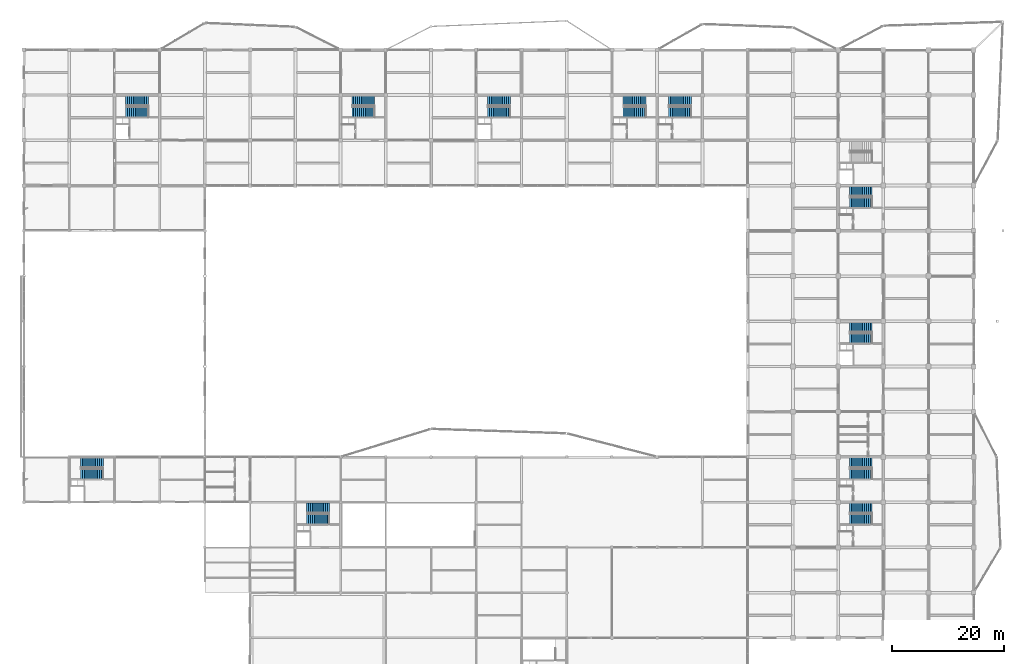
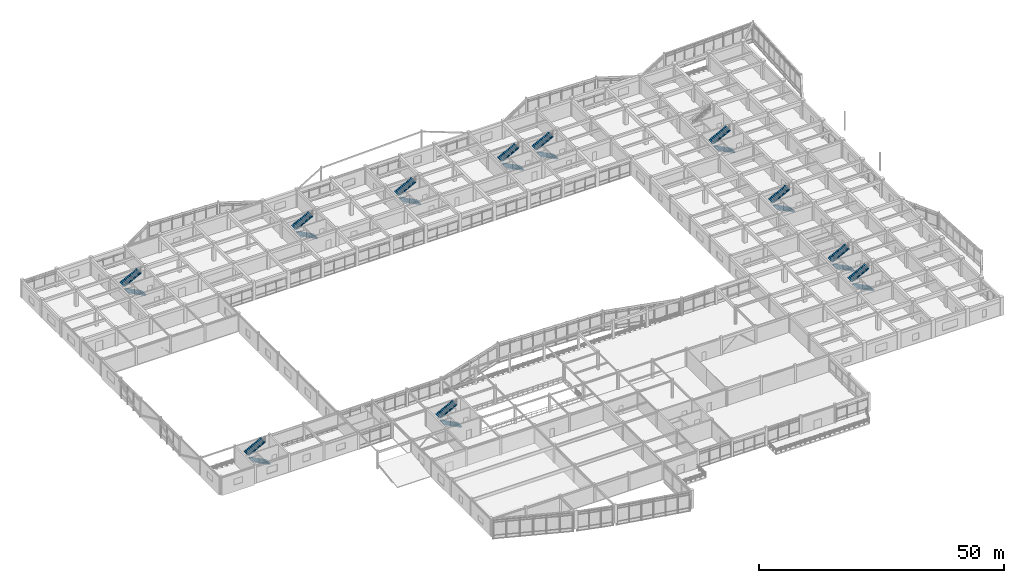
# One storey, part 75 of 93: 22 stair flights, 11 elements without a shape of their own.
"""IFC4 building model written with IfcOpenShell, lengths in metres."""

from ifc_helpers import new_model, si_unit, direction, frame, origin, place, context, subcontext, project, spatial, polyline, outline, extrude, material, type_object, element, aggregate, save


model = new_model("IFC4")

# Units and contexts
model_context = context("Model", 3, precision=1e-05, world=origin(), true_north=direction((0.0, 1.0)))
body_context = subcontext(model_context, "Body", "Model", "MODEL_VIEW")
ifc_project = project(units=[si_unit("LENGTHUNIT", "METRE"), si_unit("AREAUNIT", "SQUARE_METRE"), si_unit("VOLUMEUNIT", "CUBIC_METRE"), si_unit("PLANEANGLEUNIT", "RADIAN"), si_unit("MASSUNIT", "GRAM", prefix="KILO")], contexts=[model_context])

# Site, building, storey
site_placement = place(None, origin())
site = spatial("IfcSite", under=ifc_project, at=site_placement, CompositionType="ELEMENT")
building_placement = place(site_placement, origin())
building = spatial("IfcBuilding", under=site, at=building_placement, Name="Vaudrelin Polytechnic", CompositionType="ELEMENT")
storey_placement = place(building_placement, frame((0.0, 0.0, 5.10009765625)))
storey = spatial("IfcBuildingStorey", under=building, at=storey_placement, Name="L01", CompositionType="ELEMENT", Elevation=5.10009765625)

# Stair, stair flights
ifc_material = material(Name="Concrete 35 MPa", Category="concrete")
stair_type = type_object("IfcStairType", Name="STR-ST-CORE", PredefinedType="TWO_STRAIGHT_RUN_STAIR", material=ifc_material)
stair_1_placement = place(storey_placement, origin())
stair_1 = element("IfcStair", 1, at=stair_1_placement, inside=storey, type_object=stair_type, Name="Exit stair ST-01-L01", PredefinedType="TWO_STRAIGHT_RUN_STAIR")
stair_flight_type = type_object("IfcStairFlightType", Name="STF-STF-CORE", PredefinedType="STRAIGHT", material=ifc_material)
stair_flight_1_placement = place(storey_placement, frame((22.340087890625, 110.3701171875, 0.0), z_axis=(0.0, 0.0, 1.0), x_axis=(-1.0, 0.0, 0.0)))
stair_flight_1 = element("IfcStairFlight", 2, at=stair_flight_1_placement, type_object=stair_flight_type, Name="ST-01-L01 flight 1", NumberOfRisers=13, NumberOfTreads=12, PredefinedType="STRAIGHT", RiserHeight=0.17654, TreadLength=0.34417, context=body_context, shape_type="SweptSolid", body=[
    extrude(outline(polyline([(0.0, 0.0), (0.0, 0.176513671875), (0.34423828125, 0.176513671875), (0.34423828125, 0.35302734375), (0.688232421875, 0.35302734375), (0.688232421875, 0.529541015625), (1.032470703125, 0.529541015625), (1.032470703125, 0.7060546875), (1.376708984375, 0.7060546875), (1.376708984375, 0.8828125), (1.720947265625, 0.8828125), (1.720947265625, 1.059326171875), (2.06494140625, 1.059326171875), (2.06494140625, 1.23583984375), (2.4091796875, 1.23583984375), (2.4091796875, 1.412353515625), (2.75341796875, 1.412353515625), (2.75341796875, 1.5888671875), (3.097412109375, 1.5888671875), (3.097412109375, 1.765380859375), (3.441650390625, 1.765380859375), (3.441650390625, 1.94189453125), (3.785888671875, 1.94189453125), (3.785888671875, 2.118408203125), (4.130126953125, 2.118408203125), (4.130126953125, 2.294921875), (4.130126953125, 1.893798828125), (0.43798828125, 0.0), (0.0, 0.0)])), frame((0.0, 0.91015625, 0.0), z_axis=(0.0, -1.0, 0.0), x_axis=(1.0, 0.0, 0.0)), (0.0, 0.0, 1.0), 1.820068359375),
])
stair_flight_2_placement = place(storey_placement, frame((18.2099609375, 112.389892578125, 2.294921875), z_axis=(0.0, 0.0, 1.0), x_axis=(1.0, 0.0, 0.0)))
stair_flight_2 = element("IfcStairFlight", 3, at=stair_flight_2_placement, type_object=stair_flight_type, Name="ST-01-L01 flight 2", NumberOfRisers=13, NumberOfTreads=12, PredefinedType="STRAIGHT", RiserHeight=0.17654, TreadLength=0.34083, context=body_context, shape_type="SweptSolid", body=[
    extrude(outline(polyline([(0.0, 0.0), (0.0, 0.176513671875), (0.3408203125, 0.176513671875), (0.3408203125, 0.35302734375), (0.681640625, 0.35302734375), (0.681640625, 0.529541015625), (1.0224609375, 0.529541015625), (1.0224609375, 0.7060546875), (1.36328125, 0.7060546875), (1.36328125, 0.8828125), (1.7041015625, 0.8828125), (1.7041015625, 1.059326171875), (2.044921875, 1.059326171875), (2.044921875, 1.23583984375), (2.3857421875, 1.23583984375), (2.3857421875, 1.412353515625), (2.7265625, 1.412353515625), (2.7265625, 1.5888671875), (3.0673828125, 1.5888671875), (3.0673828125, 1.765380859375), (3.408203125, 1.765380859375), (3.408203125, 1.94189453125), (3.7490234375, 1.94189453125), (3.7490234375, 2.118408203125), (4.08984375, 2.118408203125), (4.08984375, 2.294921875), (4.08984375, 1.893310546875), (0.434814453125, 0.0), (0.0, 0.0)])), frame((0.0, 0.91015625, 0.0), z_axis=(0.0, -1.0, 0.0), x_axis=(1.0, 0.0, 0.0)), (0.0, 0.0, 1.0), 1.820068359375),
])
aggregate(stair_1, [stair_flight_1, stair_flight_2])

stair_2_placement = place(storey_placement, origin())
stair_2 = element("IfcStair", 4, at=stair_2_placement, inside=storey, type_object=stair_type, Name="Exit stair ST-02-L01", PredefinedType="TWO_STRAIGHT_RUN_STAIR")
stair_flight_3_placement = place(storey_placement, frame((87.139892578125, 110.3701171875, 0.0), z_axis=(0.0, 0.0, 1.0), x_axis=(-1.0, 0.0, 0.0)))
stair_flight_3 = element("IfcStairFlight", 5, at=stair_flight_3_placement, type_object=stair_flight_type, Name="ST-02-L01 flight 1", NumberOfRisers=13, NumberOfTreads=12, PredefinedType="STRAIGHT", RiserHeight=0.17654, TreadLength=0.34417, context=body_context, shape_type="SweptSolid", body=[
    extrude(outline(polyline([(0.0, 0.0), (0.0, 0.176513671875), (0.34423828125, 0.176513671875), (0.34423828125, 0.35302734375), (0.688232421875, 0.35302734375), (0.688232421875, 0.529541015625), (1.032470703125, 0.529541015625), (1.032470703125, 0.7060546875), (1.376708984375, 0.7060546875), (1.376708984375, 0.8828125), (1.720947265625, 0.8828125), (1.720947265625, 1.059326171875), (2.06494140625, 1.059326171875), (2.06494140625, 1.23583984375), (2.4091796875, 1.23583984375), (2.4091796875, 1.412353515625), (2.75341796875, 1.412353515625), (2.75341796875, 1.5888671875), (3.097412109375, 1.5888671875), (3.097412109375, 1.765380859375), (3.441650390625, 1.765380859375), (3.441650390625, 1.94189453125), (3.785888671875, 1.94189453125), (3.785888671875, 2.118408203125), (4.130126953125, 2.118408203125), (4.130126953125, 2.294921875), (4.130126953125, 1.893798828125), (0.43798828125, 0.0), (0.0, 0.0)])), frame((0.0, 0.91015625, 0.0), z_axis=(0.0, -1.0, 0.0), x_axis=(1.0, 0.0, 0.0)), (0.0, 0.0, 1.0), 1.820068359375),
])
stair_flight_4_placement = place(storey_placement, frame((83.010009765625, 112.389892578125, 2.294921875), z_axis=(0.0, 0.0, 1.0), x_axis=(1.0, 0.0, 0.0)))
stair_flight_4 = element("IfcStairFlight", 6, at=stair_flight_4_placement, type_object=stair_flight_type, Name="ST-02-L01 flight 2", NumberOfRisers=13, NumberOfTreads=12, PredefinedType="STRAIGHT", RiserHeight=0.17654, TreadLength=0.34083, context=body_context, shape_type="SweptSolid", body=[
    extrude(outline(polyline([(0.0, 0.0), (0.0, 0.176513671875), (0.3408203125, 0.176513671875), (0.3408203125, 0.35302734375), (0.681640625, 0.35302734375), (0.681640625, 0.529541015625), (1.0224609375, 0.529541015625), (1.0224609375, 0.7060546875), (1.36328125, 0.7060546875), (1.36328125, 0.8828125), (1.7041015625, 0.8828125), (1.7041015625, 1.059326171875), (2.044921875, 1.059326171875), (2.044921875, 1.23583984375), (2.3857421875, 1.23583984375), (2.3857421875, 1.412353515625), (2.7265625, 1.412353515625), (2.7265625, 1.5888671875), (3.0673828125, 1.5888671875), (3.0673828125, 1.765380859375), (3.408203125, 1.765380859375), (3.408203125, 1.94189453125), (3.7490234375, 1.94189453125), (3.7490234375, 2.118408203125), (4.08984375, 2.118408203125), (4.08984375, 2.294921875), (4.08984375, 1.893310546875), (0.434814453125, 0.0), (0.0, 0.0)])), frame((0.0, 0.91015625, 0.0), z_axis=(0.0, -1.0, 0.0), x_axis=(1.0, 0.0, 0.0)), (0.0, 0.0, 1.0), 1.820068359375),
])
aggregate(stair_2, [stair_flight_3, stair_flight_4])

stair_3_placement = place(storey_placement, origin())
stair_3 = element("IfcStair", 7, at=stair_3_placement, inside=storey, type_object=stair_type, Name="Exit stair ST-03-L01", PredefinedType="TWO_STRAIGHT_RUN_STAIR")
stair_flight_5_placement = place(storey_placement, frame((14.239990234375, 45.570068359375, 0.0), z_axis=(0.0, 0.0, 1.0), x_axis=(-1.0, 0.0, 0.0)))
stair_flight_5 = element("IfcStairFlight", 8, at=stair_flight_5_placement, type_object=stair_flight_type, Name="ST-03-L01 flight 1", NumberOfRisers=13, NumberOfTreads=12, PredefinedType="STRAIGHT", RiserHeight=0.17654, TreadLength=0.34417, context=body_context, shape_type="SweptSolid", body=[
    extrude(outline(polyline([(0.0, 0.0), (0.0, 0.176513671875), (0.34423828125, 0.176513671875), (0.34423828125, 0.35302734375), (0.688232421875, 0.35302734375), (0.688232421875, 0.529541015625), (1.032470703125, 0.529541015625), (1.032470703125, 0.7060546875), (1.376708984375, 0.7060546875), (1.376708984375, 0.8828125), (1.720947265625, 0.8828125), (1.720947265625, 1.059326171875), (2.06494140625, 1.059326171875), (2.06494140625, 1.23583984375), (2.4091796875, 1.23583984375), (2.4091796875, 1.412353515625), (2.75341796875, 1.412353515625), (2.75341796875, 1.5888671875), (3.097412109375, 1.5888671875), (3.097412109375, 1.765380859375), (3.441650390625, 1.765380859375), (3.441650390625, 1.94189453125), (3.785888671875, 1.94189453125), (3.785888671875, 2.118408203125), (4.130126953125, 2.118408203125), (4.130126953125, 2.294921875), (4.130126953125, 1.893798828125), (0.43798828125, 0.0), (0.0, 0.0)])), frame((0.0, 0.91015625, 0.0), z_axis=(0.0, -1.0, 0.0), x_axis=(1.0, 0.0, 0.0)), (0.0, 0.0, 1.0), 1.820068359375),
])
stair_flight_6_placement = place(storey_placement, frame((10.110107421875, 47.590087890625, 2.294921875), z_axis=(0.0, 0.0, 1.0), x_axis=(1.0, 0.0, 0.0)))
stair_flight_6 = element("IfcStairFlight", 9, at=stair_flight_6_placement, type_object=stair_flight_type, Name="ST-03-L01 flight 2", NumberOfRisers=13, NumberOfTreads=12, PredefinedType="STRAIGHT", RiserHeight=0.17654, TreadLength=0.34083, context=body_context, shape_type="SweptSolid", body=[
    extrude(outline(polyline([(0.0, 0.0), (0.0, 0.176513671875), (0.3408203125, 0.176513671875), (0.3408203125, 0.35302734375), (0.681640625, 0.35302734375), (0.681640625, 0.529541015625), (1.0224609375, 0.529541015625), (1.0224609375, 0.7060546875), (1.36328125, 0.7060546875), (1.36328125, 0.8828125), (1.7041015625, 0.8828125), (1.7041015625, 1.059326171875), (2.044921875, 1.059326171875), (2.044921875, 1.23583984375), (2.3857421875, 1.23583984375), (2.3857421875, 1.412353515625), (2.7265625, 1.412353515625), (2.7265625, 1.5888671875), (3.0673828125, 1.5888671875), (3.0673828125, 1.765380859375), (3.408203125, 1.765380859375), (3.408203125, 1.94189453125), (3.7490234375, 1.94189453125), (3.7490234375, 2.118408203125), (4.08984375, 2.118408203125), (4.08984375, 2.294921875), (4.08984375, 1.893310546875), (0.434814453125, 0.0), (0.0, 0.0)])), frame((0.0, 0.91015625, 0.0), z_axis=(0.0, -1.0, 0.0), x_axis=(1.0, 0.0, 0.0)), (0.0, 0.0, 1.0), 1.820068359375),
])
aggregate(stair_3, [stair_flight_5, stair_flight_6])

stair_4_placement = place(storey_placement, origin())
stair_4 = element("IfcStair", 10, at=stair_4_placement, inside=storey, type_object=stair_type, Name="Exit stair ST-04-L01", PredefinedType="TWO_STRAIGHT_RUN_STAIR")
stair_flight_7_placement = place(storey_placement, frame((54.739990234375, 37.469970703125, 0.0), z_axis=(0.0, 0.0, 1.0), x_axis=(-1.0, 0.0, 0.0)))
stair_flight_7 = element("IfcStairFlight", 11, at=stair_flight_7_placement, type_object=stair_flight_type, Name="ST-04-L01 flight 1", NumberOfRisers=13, NumberOfTreads=12, PredefinedType="STRAIGHT", RiserHeight=0.17654, TreadLength=0.34417, context=body_context, shape_type="SweptSolid", body=[
    extrude(outline(polyline([(0.0, 0.0), (0.0, 0.176513671875), (0.34423828125, 0.176513671875), (0.34423828125, 0.35302734375), (0.688232421875, 0.35302734375), (0.688232421875, 0.529541015625), (1.032470703125, 0.529541015625), (1.032470703125, 0.7060546875), (1.376708984375, 0.7060546875), (1.376708984375, 0.8828125), (1.720947265625, 0.8828125), (1.720947265625, 1.059326171875), (2.06494140625, 1.059326171875), (2.06494140625, 1.23583984375), (2.4091796875, 1.23583984375), (2.4091796875, 1.412353515625), (2.75341796875, 1.412353515625), (2.75341796875, 1.5888671875), (3.097412109375, 1.5888671875), (3.097412109375, 1.765380859375), (3.441650390625, 1.765380859375), (3.441650390625, 1.94189453125), (3.785888671875, 1.94189453125), (3.785888671875, 2.118408203125), (4.130126953125, 2.118408203125), (4.130126953125, 2.294921875), (4.130126953125, 1.893798828125), (0.43798828125, 0.0), (0.0, 0.0)])), frame((0.0, 0.91015625, 0.0), z_axis=(0.0, -1.0, 0.0), x_axis=(1.0, 0.0, 0.0)), (0.0, 0.0, 1.0), 1.820068359375),
])
stair_flight_8_placement = place(storey_placement, frame((50.610107421875, 39.489990234375, 2.294921875), z_axis=(0.0, 0.0, 1.0), x_axis=(1.0, 0.0, 0.0)))
stair_flight_8 = element("IfcStairFlight", 12, at=stair_flight_8_placement, type_object=stair_flight_type, Name="ST-04-L01 flight 2", NumberOfRisers=13, NumberOfTreads=12, PredefinedType="STRAIGHT", RiserHeight=0.17654, TreadLength=0.34083, context=body_context, shape_type="SweptSolid", body=[
    extrude(outline(polyline([(0.0, 0.0), (0.0, 0.176513671875), (0.3408203125, 0.176513671875), (0.3408203125, 0.35302734375), (0.681640625, 0.35302734375), (0.681640625, 0.529541015625), (1.0224609375, 0.529541015625), (1.0224609375, 0.7060546875), (1.36328125, 0.7060546875), (1.36328125, 0.8828125), (1.7041015625, 0.8828125), (1.7041015625, 1.059326171875), (2.044921875, 1.059326171875), (2.044921875, 1.23583984375), (2.3857421875, 1.23583984375), (2.3857421875, 1.412353515625), (2.7265625, 1.412353515625), (2.7265625, 1.5888671875), (3.0673828125, 1.5888671875), (3.0673828125, 1.765380859375), (3.408203125, 1.765380859375), (3.408203125, 1.94189453125), (3.7490234375, 1.94189453125), (3.7490234375, 2.118408203125), (4.08984375, 2.118408203125), (4.08984375, 2.294921875), (4.08984375, 1.893310546875), (0.434814453125, 0.0), (0.0, 0.0)])), frame((0.0, 0.91015625, 0.0), z_axis=(0.0, -1.0, 0.0), x_axis=(1.0, 0.0, 0.0)), (0.0, 0.0, 1.0), 1.820068359375),
])
aggregate(stair_4, [stair_flight_7, stair_flight_8])

stair_5_placement = place(storey_placement, origin())
stair_5 = element("IfcStair", 13, at=stair_5_placement, inside=storey, type_object=stair_type, Name="Exit stair ST-07-L01", PredefinedType="TWO_STRAIGHT_RUN_STAIR")
stair_flight_9_placement = place(storey_placement, frame((151.93994140625, 69.8701171875, 0.0), z_axis=(0.0, 0.0, 1.0), x_axis=(-1.0, 0.0, 0.0)))
stair_flight_9 = element("IfcStairFlight", 14, at=stair_flight_9_placement, type_object=stair_flight_type, Name="ST-07-L01 flight 1", NumberOfRisers=13, NumberOfTreads=12, PredefinedType="STRAIGHT", RiserHeight=0.17654, TreadLength=0.34417, context=body_context, shape_type="SweptSolid", body=[
    extrude(outline(polyline([(0.0, 0.0), (0.0, 0.176513671875), (0.34423828125, 0.176513671875), (0.34423828125, 0.35302734375), (0.688232421875, 0.35302734375), (0.688232421875, 0.529541015625), (1.032470703125, 0.529541015625), (1.032470703125, 0.7060546875), (1.376708984375, 0.7060546875), (1.376708984375, 0.8828125), (1.720947265625, 0.8828125), (1.720947265625, 1.059326171875), (2.06494140625, 1.059326171875), (2.06494140625, 1.23583984375), (2.4091796875, 1.23583984375), (2.4091796875, 1.412353515625), (2.75341796875, 1.412353515625), (2.75341796875, 1.5888671875), (3.097412109375, 1.5888671875), (3.097412109375, 1.765380859375), (3.441650390625, 1.765380859375), (3.441650390625, 1.94189453125), (3.785888671875, 1.94189453125), (3.785888671875, 2.118408203125), (4.130126953125, 2.118408203125), (4.130126953125, 2.294921875), (4.130126953125, 1.893798828125), (0.43798828125, 0.0), (0.0, 0.0)])), frame((0.0, 0.91015625, 0.0), z_axis=(0.0, -1.0, 0.0), x_axis=(1.0, 0.0, 0.0)), (0.0, 0.0, 1.0), 1.820068359375),
])
stair_flight_10_placement = place(storey_placement, frame((147.81005859375, 71.889892578125, 2.294921875), z_axis=(0.0, 0.0, 1.0), x_axis=(1.0, 0.0, 0.0)))
stair_flight_10 = element("IfcStairFlight", 15, at=stair_flight_10_placement, type_object=stair_flight_type, Name="ST-07-L01 flight 2", NumberOfRisers=13, NumberOfTreads=12, PredefinedType="STRAIGHT", RiserHeight=0.17654, TreadLength=0.34083, context=body_context, shape_type="SweptSolid", body=[
    extrude(outline(polyline([(0.0, 0.0), (0.0, 0.176513671875), (0.3408203125, 0.176513671875), (0.3408203125, 0.35302734375), (0.681640625, 0.35302734375), (0.681640625, 0.529541015625), (1.0224609375, 0.529541015625), (1.0224609375, 0.7060546875), (1.36328125, 0.7060546875), (1.36328125, 0.8828125), (1.7041015625, 0.8828125), (1.7041015625, 1.059326171875), (2.044921875, 1.059326171875), (2.044921875, 1.23583984375), (2.3857421875, 1.23583984375), (2.3857421875, 1.412353515625), (2.7265625, 1.412353515625), (2.7265625, 1.5888671875), (3.0673828125, 1.5888671875), (3.0673828125, 1.765380859375), (3.408203125, 1.765380859375), (3.408203125, 1.94189453125), (3.7490234375, 1.94189453125), (3.7490234375, 2.118408203125), (4.08984375, 2.118408203125), (4.08984375, 2.294921875), (4.08984375, 1.893310546875), (0.434814453125, 0.0), (0.0, 0.0)])), frame((0.0, 0.91015625, 0.0), z_axis=(0.0, -1.0, 0.0), x_axis=(1.0, 0.0, 0.0)), (0.0, 0.0, 1.0), 1.820068359375),
])
aggregate(stair_5, [stair_flight_9, stair_flight_10])

stair_6_placement = place(storey_placement, origin())
stair_6 = element("IfcStair", 16, at=stair_6_placement, inside=storey, type_object=stair_type, Name="Exit stair ST-08-L01", PredefinedType="TWO_STRAIGHT_RUN_STAIR")
stair_flight_11_placement = place(storey_placement, frame((151.93994140625, 37.469970703125, 0.0), z_axis=(0.0, 0.0, 1.0), x_axis=(-1.0, 0.0, 0.0)))
stair_flight_11 = element("IfcStairFlight", 17, at=stair_flight_11_placement, type_object=stair_flight_type, Name="ST-08-L01 flight 1", NumberOfRisers=13, NumberOfTreads=12, PredefinedType="STRAIGHT", RiserHeight=0.17654, TreadLength=0.34417, context=body_context, shape_type="SweptSolid", body=[
    extrude(outline(polyline([(0.0, 0.0), (0.0, 0.176513671875), (0.34423828125, 0.176513671875), (0.34423828125, 0.35302734375), (0.688232421875, 0.35302734375), (0.688232421875, 0.529541015625), (1.032470703125, 0.529541015625), (1.032470703125, 0.7060546875), (1.376708984375, 0.7060546875), (1.376708984375, 0.8828125), (1.720947265625, 0.8828125), (1.720947265625, 1.059326171875), (2.06494140625, 1.059326171875), (2.06494140625, 1.23583984375), (2.4091796875, 1.23583984375), (2.4091796875, 1.412353515625), (2.75341796875, 1.412353515625), (2.75341796875, 1.5888671875), (3.097412109375, 1.5888671875), (3.097412109375, 1.765380859375), (3.441650390625, 1.765380859375), (3.441650390625, 1.94189453125), (3.785888671875, 1.94189453125), (3.785888671875, 2.118408203125), (4.130126953125, 2.118408203125), (4.130126953125, 2.294921875), (4.130126953125, 1.893798828125), (0.43798828125, 0.0), (0.0, 0.0)])), frame((0.0, 0.91015625, 0.0), z_axis=(0.0, -1.0, 0.0), x_axis=(1.0, 0.0, 0.0)), (0.0, 0.0, 1.0), 1.820068359375),
])
stair_flight_12_placement = place(storey_placement, frame((147.81005859375, 39.489990234375, 2.294921875), z_axis=(0.0, 0.0, 1.0), x_axis=(1.0, 0.0, 0.0)))
stair_flight_12 = element("IfcStairFlight", 18, at=stair_flight_12_placement, type_object=stair_flight_type, Name="ST-08-L01 flight 2", NumberOfRisers=13, NumberOfTreads=12, PredefinedType="STRAIGHT", RiserHeight=0.17654, TreadLength=0.34083, context=body_context, shape_type="SweptSolid", body=[
    extrude(outline(polyline([(0.0, 0.0), (0.0, 0.176513671875), (0.3408203125, 0.176513671875), (0.3408203125, 0.35302734375), (0.681640625, 0.35302734375), (0.681640625, 0.529541015625), (1.0224609375, 0.529541015625), (1.0224609375, 0.7060546875), (1.36328125, 0.7060546875), (1.36328125, 0.8828125), (1.7041015625, 0.8828125), (1.7041015625, 1.059326171875), (2.044921875, 1.059326171875), (2.044921875, 1.23583984375), (2.3857421875, 1.23583984375), (2.3857421875, 1.412353515625), (2.7265625, 1.412353515625), (2.7265625, 1.5888671875), (3.0673828125, 1.5888671875), (3.0673828125, 1.765380859375), (3.408203125, 1.765380859375), (3.408203125, 1.94189453125), (3.7490234375, 1.94189453125), (3.7490234375, 2.118408203125), (4.08984375, 2.118408203125), (4.08984375, 2.294921875), (4.08984375, 1.893310546875), (0.434814453125, 0.0), (0.0, 0.0)])), frame((0.0, 0.91015625, 0.0), z_axis=(0.0, -1.0, 0.0), x_axis=(1.0, 0.0, 0.0)), (0.0, 0.0, 1.0), 1.820068359375),
])
aggregate(stair_6, [stair_flight_11, stair_flight_12])

stair_7_placement = place(storey_placement, origin())
stair_7 = element("IfcStair", 19, at=stair_7_placement, inside=storey, type_object=stair_type, Name="Exit stair ST-09-L01", PredefinedType="TWO_STRAIGHT_RUN_STAIR")
stair_flight_13_placement = place(storey_placement, frame((62.840087890625, 110.3701171875, 0.0), z_axis=(0.0, 0.0, 1.0), x_axis=(-1.0, 0.0, 0.0)))
stair_flight_13 = element("IfcStairFlight", 20, at=stair_flight_13_placement, type_object=stair_flight_type, Name="ST-09-L01 flight 1", NumberOfRisers=13, NumberOfTreads=12, PredefinedType="STRAIGHT", RiserHeight=0.17654, TreadLength=0.34417, context=body_context, shape_type="SweptSolid", body=[
    extrude(outline(polyline([(0.0, 0.0), (0.0, 0.176513671875), (0.34423828125, 0.176513671875), (0.34423828125, 0.35302734375), (0.688232421875, 0.35302734375), (0.688232421875, 0.529541015625), (1.032470703125, 0.529541015625), (1.032470703125, 0.7060546875), (1.376708984375, 0.7060546875), (1.376708984375, 0.8828125), (1.720947265625, 0.8828125), (1.720947265625, 1.059326171875), (2.06494140625, 1.059326171875), (2.06494140625, 1.23583984375), (2.4091796875, 1.23583984375), (2.4091796875, 1.412353515625), (2.75341796875, 1.412353515625), (2.75341796875, 1.5888671875), (3.097412109375, 1.5888671875), (3.097412109375, 1.765380859375), (3.441650390625, 1.765380859375), (3.441650390625, 1.94189453125), (3.785888671875, 1.94189453125), (3.785888671875, 2.118408203125), (4.130126953125, 2.118408203125), (4.130126953125, 2.294921875), (4.130126953125, 1.893798828125), (0.43798828125, 0.0), (0.0, 0.0)])), frame((0.0, 0.91015625, 0.0), z_axis=(0.0, -1.0, 0.0), x_axis=(1.0, 0.0, 0.0)), (0.0, 0.0, 1.0), 1.820068359375),
])
stair_flight_14_placement = place(storey_placement, frame((58.7099609375, 112.389892578125, 2.294921875), z_axis=(0.0, 0.0, 1.0), x_axis=(1.0, 0.0, 0.0)))
stair_flight_14 = element("IfcStairFlight", 21, at=stair_flight_14_placement, type_object=stair_flight_type, Name="ST-09-L01 flight 2", NumberOfRisers=13, NumberOfTreads=12, PredefinedType="STRAIGHT", RiserHeight=0.17654, TreadLength=0.34083, context=body_context, shape_type="SweptSolid", body=[
    extrude(outline(polyline([(0.0, 0.0), (0.0, 0.176513671875), (0.3408203125, 0.176513671875), (0.3408203125, 0.35302734375), (0.681640625, 0.35302734375), (0.681640625, 0.529541015625), (1.0224609375, 0.529541015625), (1.0224609375, 0.7060546875), (1.36328125, 0.7060546875), (1.36328125, 0.8828125), (1.7041015625, 0.8828125), (1.7041015625, 1.059326171875), (2.044921875, 1.059326171875), (2.044921875, 1.23583984375), (2.3857421875, 1.23583984375), (2.3857421875, 1.412353515625), (2.7265625, 1.412353515625), (2.7265625, 1.5888671875), (3.0673828125, 1.5888671875), (3.0673828125, 1.765380859375), (3.408203125, 1.765380859375), (3.408203125, 1.94189453125), (3.7490234375, 1.94189453125), (3.7490234375, 2.118408203125), (4.08984375, 2.118408203125), (4.08984375, 2.294921875), (4.08984375, 1.893310546875), (0.434814453125, 0.0), (0.0, 0.0)])), frame((0.0, 0.91015625, 0.0), z_axis=(0.0, -1.0, 0.0), x_axis=(1.0, 0.0, 0.0)), (0.0, 0.0, 1.0), 1.820068359375),
])
aggregate(stair_7, [stair_flight_13, stair_flight_14])

stair_8_placement = place(storey_placement, origin())
stair_8 = element("IfcStair", 22, at=stair_8_placement, inside=storey, type_object=stair_type, Name="Exit stair ST-10-L01", PredefinedType="TWO_STRAIGHT_RUN_STAIR")
stair_flight_15_placement = place(storey_placement, frame((119.5400390625, 110.3701171875, 0.0), z_axis=(0.0, 0.0, 1.0), x_axis=(-1.0, 0.0, 0.0)))
stair_flight_15 = element("IfcStairFlight", 23, at=stair_flight_15_placement, type_object=stair_flight_type, Name="ST-10-L01 flight 1", NumberOfRisers=13, NumberOfTreads=12, PredefinedType="STRAIGHT", RiserHeight=0.17654, TreadLength=0.34417, context=body_context, shape_type="SweptSolid", body=[
    extrude(outline(polyline([(0.0, 0.0), (0.0, 0.176513671875), (0.34423828125, 0.176513671875), (0.34423828125, 0.35302734375), (0.688232421875, 0.35302734375), (0.688232421875, 0.529541015625), (1.032470703125, 0.529541015625), (1.032470703125, 0.7060546875), (1.376708984375, 0.7060546875), (1.376708984375, 0.8828125), (1.720947265625, 0.8828125), (1.720947265625, 1.059326171875), (2.06494140625, 1.059326171875), (2.06494140625, 1.23583984375), (2.4091796875, 1.23583984375), (2.4091796875, 1.412353515625), (2.75341796875, 1.412353515625), (2.75341796875, 1.5888671875), (3.097412109375, 1.5888671875), (3.097412109375, 1.765380859375), (3.441650390625, 1.765380859375), (3.441650390625, 1.94189453125), (3.785888671875, 1.94189453125), (3.785888671875, 2.118408203125), (4.130126953125, 2.118408203125), (4.130126953125, 2.294921875), (4.130126953125, 1.893798828125), (0.43798828125, 0.0), (0.0, 0.0)])), frame((0.0, 0.91015625, 0.0), z_axis=(0.0, -1.0, 0.0), x_axis=(1.0, 0.0, 0.0)), (0.0, 0.0, 1.0), 1.820068359375),
])
stair_flight_16_placement = place(storey_placement, frame((115.409912109375, 112.389892578125, 2.294921875), z_axis=(0.0, 0.0, 1.0), x_axis=(1.0, 0.0, 0.0)))
stair_flight_16 = element("IfcStairFlight", 24, at=stair_flight_16_placement, type_object=stair_flight_type, Name="ST-10-L01 flight 2", NumberOfRisers=13, NumberOfTreads=12, PredefinedType="STRAIGHT", RiserHeight=0.17654, TreadLength=0.34083, context=body_context, shape_type="SweptSolid", body=[
    extrude(outline(polyline([(0.0, 0.0), (0.0, 0.176513671875), (0.3408203125, 0.176513671875), (0.3408203125, 0.35302734375), (0.681640625, 0.35302734375), (0.681640625, 0.529541015625), (1.0224609375, 0.529541015625), (1.0224609375, 0.7060546875), (1.36328125, 0.7060546875), (1.36328125, 0.8828125), (1.7041015625, 0.8828125), (1.7041015625, 1.059326171875), (2.044921875, 1.059326171875), (2.044921875, 1.23583984375), (2.3857421875, 1.23583984375), (2.3857421875, 1.412353515625), (2.7265625, 1.412353515625), (2.7265625, 1.5888671875), (3.0673828125, 1.5888671875), (3.0673828125, 1.765380859375), (3.408203125, 1.765380859375), (3.408203125, 1.94189453125), (3.7490234375, 1.94189453125), (3.7490234375, 2.118408203125), (4.08984375, 2.118408203125), (4.08984375, 2.294921875), (4.08984375, 1.893310546875), (0.434814453125, 0.0), (0.0, 0.0)])), frame((0.0, 0.91015625, 0.0), z_axis=(0.0, -1.0, 0.0), x_axis=(1.0, 0.0, 0.0)), (0.0, 0.0, 1.0), 1.820068359375),
])
aggregate(stair_8, [stair_flight_15, stair_flight_16])

stair_9_placement = place(storey_placement, origin())
stair_9 = element("IfcStair", 25, at=stair_9_placement, inside=storey, type_object=stair_type, Name="Exit stair ST-11-L01", PredefinedType="TWO_STRAIGHT_RUN_STAIR")
stair_flight_17_placement = place(storey_placement, frame((111.43994140625, 110.3701171875, 0.0), z_axis=(0.0, 0.0, 1.0), x_axis=(-1.0, 0.0, 0.0)))
stair_flight_17 = element("IfcStairFlight", 26, at=stair_flight_17_placement, type_object=stair_flight_type, Name="ST-11-L01 flight 1", NumberOfRisers=13, NumberOfTreads=12, PredefinedType="STRAIGHT", RiserHeight=0.17654, TreadLength=0.34417, context=body_context, shape_type="SweptSolid", body=[
    extrude(outline(polyline([(0.0, 0.0), (0.0, 0.176513671875), (0.34423828125, 0.176513671875), (0.34423828125, 0.35302734375), (0.688232421875, 0.35302734375), (0.688232421875, 0.529541015625), (1.032470703125, 0.529541015625), (1.032470703125, 0.7060546875), (1.376708984375, 0.7060546875), (1.376708984375, 0.8828125), (1.720947265625, 0.8828125), (1.720947265625, 1.059326171875), (2.06494140625, 1.059326171875), (2.06494140625, 1.23583984375), (2.4091796875, 1.23583984375), (2.4091796875, 1.412353515625), (2.75341796875, 1.412353515625), (2.75341796875, 1.5888671875), (3.097412109375, 1.5888671875), (3.097412109375, 1.765380859375), (3.441650390625, 1.765380859375), (3.441650390625, 1.94189453125), (3.785888671875, 1.94189453125), (3.785888671875, 2.118408203125), (4.130126953125, 2.118408203125), (4.130126953125, 2.294921875), (4.130126953125, 1.893798828125), (0.43798828125, 0.0), (0.0, 0.0)])), frame((0.0, 0.91015625, 0.0), z_axis=(0.0, -1.0, 0.0), x_axis=(1.0, 0.0, 0.0)), (0.0, 0.0, 1.0), 1.820068359375),
])
stair_flight_18_placement = place(storey_placement, frame((107.31005859375, 112.389892578125, 2.294921875), z_axis=(0.0, 0.0, 1.0), x_axis=(1.0, 0.0, 0.0)))
stair_flight_18 = element("IfcStairFlight", 27, at=stair_flight_18_placement, type_object=stair_flight_type, Name="ST-11-L01 flight 2", NumberOfRisers=13, NumberOfTreads=12, PredefinedType="STRAIGHT", RiserHeight=0.17654, TreadLength=0.34083, context=body_context, shape_type="SweptSolid", body=[
    extrude(outline(polyline([(0.0, 0.0), (0.0, 0.176513671875), (0.3408203125, 0.176513671875), (0.3408203125, 0.35302734375), (0.681640625, 0.35302734375), (0.681640625, 0.529541015625), (1.0224609375, 0.529541015625), (1.0224609375, 0.7060546875), (1.36328125, 0.7060546875), (1.36328125, 0.8828125), (1.7041015625, 0.8828125), (1.7041015625, 1.059326171875), (2.044921875, 1.059326171875), (2.044921875, 1.23583984375), (2.3857421875, 1.23583984375), (2.3857421875, 1.412353515625), (2.7265625, 1.412353515625), (2.7265625, 1.5888671875), (3.0673828125, 1.5888671875), (3.0673828125, 1.765380859375), (3.408203125, 1.765380859375), (3.408203125, 1.94189453125), (3.7490234375, 1.94189453125), (3.7490234375, 2.118408203125), (4.08984375, 2.118408203125), (4.08984375, 2.294921875), (4.08984375, 1.893310546875), (0.434814453125, 0.0), (0.0, 0.0)])), frame((0.0, 0.91015625, 0.0), z_axis=(0.0, -1.0, 0.0), x_axis=(1.0, 0.0, 0.0)), (0.0, 0.0, 1.0), 1.820068359375),
])
aggregate(stair_9, [stair_flight_17, stair_flight_18])

stair_10_placement = place(storey_placement, origin())
stair_10 = element("IfcStair", 28, at=stair_10_placement, inside=storey, type_object=stair_type, Name="Exit stair ST-12-L01", PredefinedType="TWO_STRAIGHT_RUN_STAIR")
stair_flight_19_placement = place(storey_placement, frame((151.93994140625, 45.570068359375, 0.0), z_axis=(0.0, 0.0, 1.0), x_axis=(-1.0, 0.0, 0.0)))
stair_flight_19 = element("IfcStairFlight", 29, at=stair_flight_19_placement, type_object=stair_flight_type, Name="ST-12-L01 flight 1", NumberOfRisers=13, NumberOfTreads=12, PredefinedType="STRAIGHT", RiserHeight=0.17654, TreadLength=0.34417, context=body_context, shape_type="SweptSolid", body=[
    extrude(outline(polyline([(0.0, 0.0), (0.0, 0.176513671875), (0.34423828125, 0.176513671875), (0.34423828125, 0.35302734375), (0.688232421875, 0.35302734375), (0.688232421875, 0.529541015625), (1.032470703125, 0.529541015625), (1.032470703125, 0.7060546875), (1.376708984375, 0.7060546875), (1.376708984375, 0.8828125), (1.720947265625, 0.8828125), (1.720947265625, 1.059326171875), (2.06494140625, 1.059326171875), (2.06494140625, 1.23583984375), (2.4091796875, 1.23583984375), (2.4091796875, 1.412353515625), (2.75341796875, 1.412353515625), (2.75341796875, 1.5888671875), (3.097412109375, 1.5888671875), (3.097412109375, 1.765380859375), (3.441650390625, 1.765380859375), (3.441650390625, 1.94189453125), (3.785888671875, 1.94189453125), (3.785888671875, 2.118408203125), (4.130126953125, 2.118408203125), (4.130126953125, 2.294921875), (4.130126953125, 1.893798828125), (0.43798828125, 0.0), (0.0, 0.0)])), frame((0.0, 0.91015625, 0.0), z_axis=(0.0, -1.0, 0.0), x_axis=(1.0, 0.0, 0.0)), (0.0, 0.0, 1.0), 1.820068359375),
])
stair_flight_20_placement = place(storey_placement, frame((147.81005859375, 47.590087890625, 2.294921875), z_axis=(0.0, 0.0, 1.0), x_axis=(1.0, 0.0, 0.0)))
stair_flight_20 = element("IfcStairFlight", 30, at=stair_flight_20_placement, type_object=stair_flight_type, Name="ST-12-L01 flight 2", NumberOfRisers=13, NumberOfTreads=12, PredefinedType="STRAIGHT", RiserHeight=0.17654, TreadLength=0.34083, context=body_context, shape_type="SweptSolid", body=[
    extrude(outline(polyline([(0.0, 0.0), (0.0, 0.176513671875), (0.3408203125, 0.176513671875), (0.3408203125, 0.35302734375), (0.681640625, 0.35302734375), (0.681640625, 0.529541015625), (1.0224609375, 0.529541015625), (1.0224609375, 0.7060546875), (1.36328125, 0.7060546875), (1.36328125, 0.8828125), (1.7041015625, 0.8828125), (1.7041015625, 1.059326171875), (2.044921875, 1.059326171875), (2.044921875, 1.23583984375), (2.3857421875, 1.23583984375), (2.3857421875, 1.412353515625), (2.7265625, 1.412353515625), (2.7265625, 1.5888671875), (3.0673828125, 1.5888671875), (3.0673828125, 1.765380859375), (3.408203125, 1.765380859375), (3.408203125, 1.94189453125), (3.7490234375, 1.94189453125), (3.7490234375, 2.118408203125), (4.08984375, 2.118408203125), (4.08984375, 2.294921875), (4.08984375, 1.893310546875), (0.434814453125, 0.0), (0.0, 0.0)])), frame((0.0, 0.91015625, 0.0), z_axis=(0.0, -1.0, 0.0), x_axis=(1.0, 0.0, 0.0)), (0.0, 0.0, 1.0), 1.820068359375),
])
aggregate(stair_10, [stair_flight_19, stair_flight_20])

stair_11_placement = place(storey_placement, origin())
stair_11 = element("IfcStair", 31, at=stair_11_placement, inside=storey, type_object=stair_type, Name="Exit stair ST-13-L01", PredefinedType="TWO_STRAIGHT_RUN_STAIR")
stair_flight_21_placement = place(storey_placement, frame((151.93994140625, 94.169921875, 0.0), z_axis=(0.0, 0.0, 1.0), x_axis=(-1.0, 0.0, 0.0)))
stair_flight_21 = element("IfcStairFlight", 32, at=stair_flight_21_placement, type_object=stair_flight_type, Name="ST-13-L01 flight 1", NumberOfRisers=13, NumberOfTreads=12, PredefinedType="STRAIGHT", RiserHeight=0.17654, TreadLength=0.34417, context=body_context, shape_type="SweptSolid", body=[
    extrude(outline(polyline([(0.0, 0.0), (0.0, 0.176513671875), (0.34423828125, 0.176513671875), (0.34423828125, 0.35302734375), (0.688232421875, 0.35302734375), (0.688232421875, 0.529541015625), (1.032470703125, 0.529541015625), (1.032470703125, 0.7060546875), (1.376708984375, 0.7060546875), (1.376708984375, 0.8828125), (1.720947265625, 0.8828125), (1.720947265625, 1.059326171875), (2.06494140625, 1.059326171875), (2.06494140625, 1.23583984375), (2.4091796875, 1.23583984375), (2.4091796875, 1.412353515625), (2.75341796875, 1.412353515625), (2.75341796875, 1.5888671875), (3.097412109375, 1.5888671875), (3.097412109375, 1.765380859375), (3.441650390625, 1.765380859375), (3.441650390625, 1.94189453125), (3.785888671875, 1.94189453125), (3.785888671875, 2.118408203125), (4.130126953125, 2.118408203125), (4.130126953125, 2.294921875), (4.130126953125, 1.893798828125), (0.43798828125, 0.0), (0.0, 0.0)])), frame((0.0, 0.91015625, 0.0), z_axis=(0.0, -1.0, 0.0), x_axis=(1.0, 0.0, 0.0)), (0.0, 0.0, 1.0), 1.820068359375),
])
stair_flight_22_placement = place(storey_placement, frame((147.81005859375, 96.18994140625, 2.294921875), z_axis=(0.0, 0.0, 1.0), x_axis=(1.0, 0.0, 0.0)))
stair_flight_22 = element("IfcStairFlight", 33, at=stair_flight_22_placement, type_object=stair_flight_type, Name="ST-13-L01 flight 2", NumberOfRisers=13, NumberOfTreads=12, PredefinedType="STRAIGHT", RiserHeight=0.17654, TreadLength=0.34083, context=body_context, shape_type="SweptSolid", body=[
    extrude(outline(polyline([(0.0, 0.0), (0.0, 0.176513671875), (0.3408203125, 0.176513671875), (0.3408203125, 0.35302734375), (0.681640625, 0.35302734375), (0.681640625, 0.529541015625), (1.0224609375, 0.529541015625), (1.0224609375, 0.7060546875), (1.36328125, 0.7060546875), (1.36328125, 0.8828125), (1.7041015625, 0.8828125), (1.7041015625, 1.059326171875), (2.044921875, 1.059326171875), (2.044921875, 1.23583984375), (2.3857421875, 1.23583984375), (2.3857421875, 1.412353515625), (2.7265625, 1.412353515625), (2.7265625, 1.5888671875), (3.0673828125, 1.5888671875), (3.0673828125, 1.765380859375), (3.408203125, 1.765380859375), (3.408203125, 1.94189453125), (3.7490234375, 1.94189453125), (3.7490234375, 2.118408203125), (4.08984375, 2.118408203125), (4.08984375, 2.294921875), (4.08984375, 1.893310546875), (0.434814453125, 0.0), (0.0, 0.0)])), frame((0.0, 0.91015625, 0.0), z_axis=(0.0, -1.0, 0.0), x_axis=(1.0, 0.0, 0.0)), (0.0, 0.0, 1.0), 1.820068359375),
])
aggregate(stair_11, [stair_flight_21, stair_flight_22])

save(model, "model.ifc")
